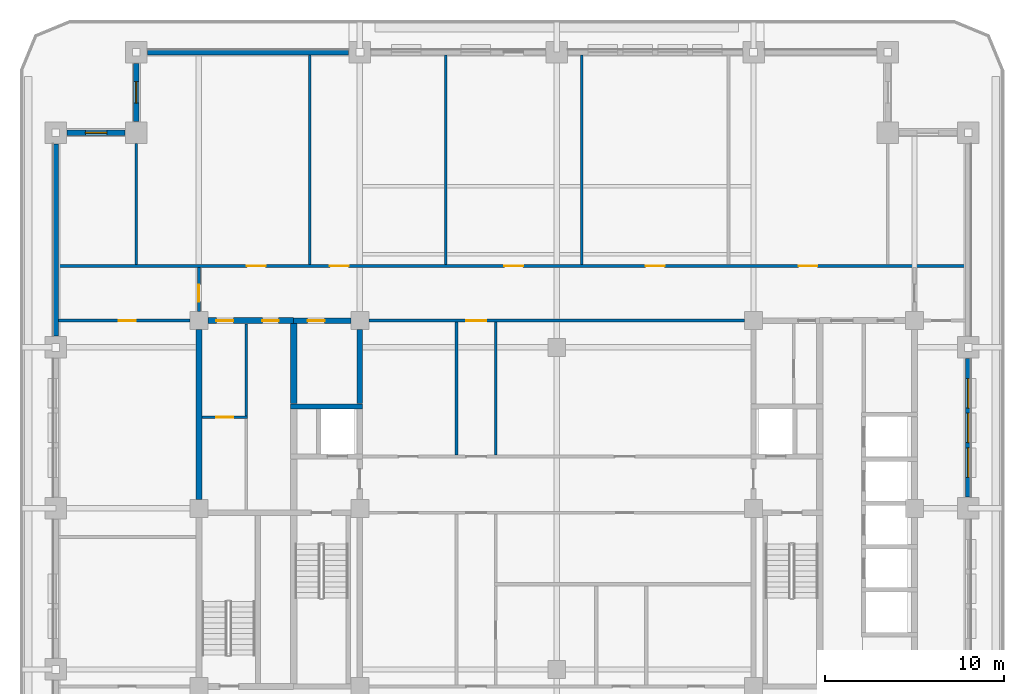
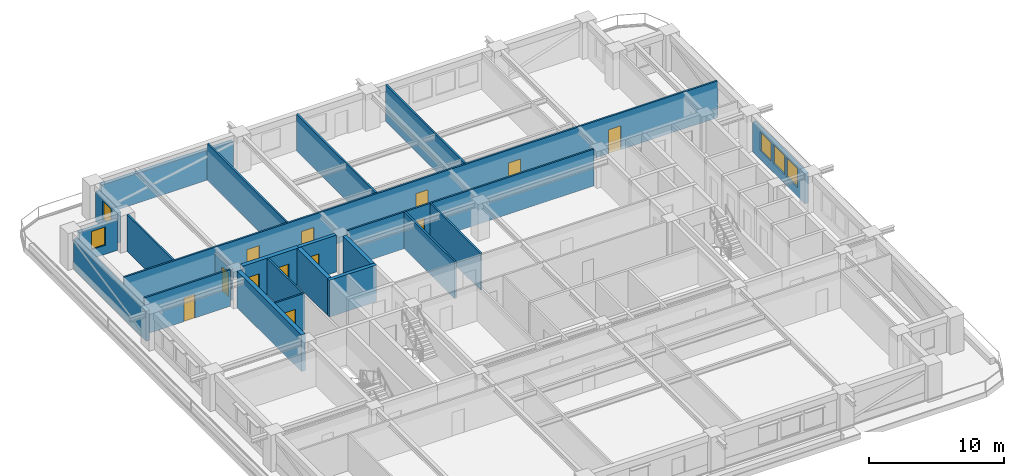
# One storey, part 5 of 15: 23 walls, 12 doors, 5 windows, 17 openings.
"""IFC4 building model written with IfcOpenShell, lengths in metres."""

from ifc_helpers import new_model, si_unit, direction, frame, frame_2d, origin, place, context, subcontext, project, spatial, rectangle, extrude, material, layer, layer_set, type_object, element, fill, save


model = new_model("IFC4")

# Units and contexts
model_context = context("Model", 3, precision=1e-05, world=origin(), true_north=direction((0.0, 1.0)))
body_context = subcontext(model_context, "Body", "Model", "MODEL_VIEW")
ifc_project = project(units=[si_unit("LENGTHUNIT", "METRE"), si_unit("AREAUNIT", "SQUARE_METRE"), si_unit("VOLUMEUNIT", "CUBIC_METRE"), si_unit("PLANEANGLEUNIT", "RADIAN"), si_unit("MASSUNIT", "GRAM", prefix="KILO")], contexts=[model_context])

# Site, building, storey
site_placement = place(None, origin())
site = spatial("IfcSite", under=ifc_project, at=site_placement, CompositionType="ELEMENT")
building_placement = place(site_placement, origin())
building = spatial("IfcBuilding", under=site, at=building_placement, Name="Zulmaris Gate Convention Tower", CompositionType="ELEMENT")
storey_placement = place(building_placement, frame((0.0, 0.0, 128.48974609375)))
storey = spatial("IfcBuildingStorey", under=building, at=storey_placement, Name="L32", CompositionType="ELEMENT", Elevation=128.48974609375)

# Wall
ifc_material_1 = material(Name="Concrete C50/60", Category="concrete")
ifc_layer_1 = layer(ifc_material_1, 0.300048828125, Name="Concrete C50/60")
ifc_layer_set_1 = layer_set([ifc_layer_1], Name="Concrete C50/60")
wall_type_1 = type_object("IfcWallType", Name="CORE-300", PredefinedType="SHEAR", material=ifc_layer_set_1)
wall_1_placement = place(storey_placement, frame((-14.875, 5.699951171875, 0.0), z_axis=(0.0, 0.0, 1.0), x_axis=(1.0, 0.0, 0.0)))
element("IfcWall", 1, at=wall_1_placement, inside=storey, type_object=wall_type_1, Name="WL-L32-015", PredefinedType="SHEAR", context=body_context, shape_type="SweptSolid", body=[
    extrude(rectangle(XDim=4.02490234375, YDim=0.300048828125, at=frame_2d((2.012451171875, 0.0))), origin(), (0.0, 0.0, 1.0), 3.320068359375),
])

# Wall, opening, door
wall_2_placement = place(storey_placement, frame((-14.699951171875, 10.5, 0.0), z_axis=(0.0, 0.0, 1.0), x_axis=(1.0, 0.0, 0.0)))
wall_2 = element("IfcWall", 2, at=wall_2_placement, inside=storey, type_object=wall_type_1, Name="WL-L32-018", PredefinedType="SHEAR", context=body_context, shape_type="SweptSolid", body=[
    extrude(rectangle(XDim=3.196044921875, YDim=0.300048828125, at=frame_2d((1.59814453125, 0.0))), origin(), (0.0, 0.0, 1.0), 3.320068359375),
])
opening_1_placement = place(wall_2_placement, frame((0.77490234375, 0.0, 0.0)))
opening_1 = element("IfcOpeningElement", 3, at=opening_1_placement, cuts=wall_2, Name="Opening D-11", PredefinedType="OPENING", context=body_context, shape_type="SweptSolid", body=[
    extrude(rectangle(XDim=0.949951171875, YDim=2.14990234375, at=frame_2d((0.47509765625, 1.074951171875))), frame((0.0, 0.16015625, 0.0), z_axis=(0.0, -1.0, 0.0), x_axis=(1.0, 0.0, 0.0)), (0.0, 0.0, 1.0), 0.320068359375),
])
ifc_material_2 = material(Name="Fire-Rated Timber", Category="wood")
door_type_1 = type_object("IfcDoorType", Name="DR-950-FD", OperationType="NOTDEFINED", PredefinedType="DOOR", material=ifc_material_2)
door_1_placement = place(opening_1_placement, origin())
door_1 = element("IfcDoor", 4, at=door_1_placement, inside=storey, type_object=door_type_1, Name="L32 Core Archive Door 07", OperationType="SINGLE_SWING_LEFT", OverallHeight=2.14990234375, OverallWidth=0.949951171875, PredefinedType="DOOR", context=body_context, shape_type="SweptSolid", body=[
    extrude(rectangle(XDim=0.949951171875, YDim=2.14990234375, at=frame_2d((0.47509765625, 1.074951171875))), frame((0.0, 0.02490234375, 0.0), z_axis=(0.0, -1.0, 0.0), x_axis=(1.0, 0.0, 0.0)), (0.0, 0.0, 1.0), 0.050048828125),
])
fill(opening_1, door_1)

# Wall
wall_3_placement = place(storey_placement, frame((-11.0, 5.85205078125, 0.0), z_axis=(0.0, 0.0, 1.0), x_axis=(0.0, 1.0, 0.0)))
element("IfcWall", 5, at=wall_3_placement, inside=storey, type_object=wall_type_1, Name="WL-L32-046", PredefinedType="SHEAR", context=body_context, shape_type="SweptSolid", body=[
    extrude(rectangle(XDim=4.14404296875, YDim=0.300048828125, at=frame_2d((2.072021484375, 0.0))), origin(), (0.0, 0.0, 1.0), 3.320068359375),
])

# Wall, openings, doors
ifc_material_3 = material(Name="Concrete C55/67", Category="concrete")
ifc_layer_2 = layer(ifc_material_3, 0.35009765625, Name="Concrete C55/67")
ifc_layer_set_2 = layer_set([ifc_layer_2], Name="Concrete C55/67")
wall_type_2 = type_object("IfcWallType", Name="CORE-350", PredefinedType="SHEAR", material=ifc_layer_set_2)
wall_4_placement = place(storey_placement, frame((-19.49609375, 10.5, 0.0), z_axis=(0.0, 0.0, 1.0), x_axis=(1.0, 0.0, 0.0)))
wall_4 = element("IfcWall", 6, at=wall_4_placement, inside=storey, type_object=wall_type_2, Name="WL-L32-017", PredefinedType="SHEAR", context=body_context, shape_type="SweptSolid", body=[
    extrude(rectangle(XDim=4.796142578125, YDim=0.35009765625, at=frame_2d((2.39794921875, 0.0))), origin(), (0.0, 0.0, 1.0), 3.320068359375),
])
opening_2_placement = place(wall_4_placement, frame((0.470947265625, 0.0, 0.0)))
opening_2 = element("IfcOpeningElement", 7, at=opening_2_placement, cuts=wall_4, Name="Opening D-11", PredefinedType="OPENING", context=body_context, shape_type="SweptSolid", body=[
    extrude(rectangle(XDim=0.949951171875, YDim=2.14990234375, at=frame_2d((0.47509765625, 1.074951171875))), frame((0.0, 0.18505859375, 0.0), z_axis=(0.0, -1.0, 0.0), x_axis=(1.0, 0.0, 0.0)), (0.0, 0.0, 1.0), 0.3701171875),
])
opening_3_placement = place(wall_4_placement, frame((3.0458984375, 0.0, 0.0)))
opening_3 = element("IfcOpeningElement", 8, at=opening_3_placement, cuts=wall_4, Name="Opening D-12", PredefinedType="OPENING", context=body_context, shape_type="SweptSolid", body=[
    extrude(rectangle(XDim=0.89990234375, YDim=2.14990234375, at=frame_2d((0.449951171875, 1.074951171875))), frame((0.0, 0.18505859375, 0.0), z_axis=(0.0, -1.0, 0.0), x_axis=(1.0, 0.0, 0.0)), (0.0, 0.0, 1.0), 0.3701171875),
])
door_type_2 = type_object("IfcDoorType", Name="DR-900-FD", OperationType="NOTDEFINED", PredefinedType="DOOR", material=ifc_material_2)
door_2_placement = place(opening_3_placement, origin())
door_2 = element("IfcDoor", 9, at=door_2_placement, inside=storey, type_object=door_type_2, Name="L32 Staff WC Door 13", OperationType="SINGLE_SWING_LEFT", OverallHeight=2.14990234375, OverallWidth=0.89990234375, PredefinedType="DOOR", context=body_context, shape_type="SweptSolid", body=[
    extrude(rectangle(XDim=0.89990234375, YDim=2.14990234375, at=frame_2d((0.449951171875, 1.074951171875))), frame((0.0, 0.02490234375, 0.0), z_axis=(0.0, -1.0, 0.0), x_axis=(1.0, 0.0, 0.0)), (0.0, 0.0, 1.0), 0.050048828125),
])
fill(opening_3, door_2)
door_3_placement = place(opening_2_placement, origin())
door_3 = element("IfcDoor", 10, at=door_3_placement, inside=storey, type_object=door_type_1, Name="L32 Linen Store Door 11", OperationType="SINGLE_SWING_LEFT", OverallHeight=2.14990234375, OverallWidth=0.949951171875, PredefinedType="DOOR", context=body_context, shape_type="SweptSolid", body=[
    extrude(rectangle(XDim=0.949951171875, YDim=2.14990234375, at=frame_2d((0.47509765625, 1.074951171875))), frame((0.0, 0.02490234375, 0.0), z_axis=(0.0, -1.0, 0.0), x_axis=(1.0, 0.0, 0.0)), (0.0, 0.0, 1.0), 0.050048828125),
])
fill(opening_2, door_3)

# Walls
wall_5_placement = place(storey_placement, frame((-20.0, 0.50390625, 0.0), z_axis=(0.0, 0.0, 1.0), x_axis=(0.0, 1.0, 0.0)))
element("IfcWall", 11, at=wall_5_placement, inside=storey, type_object=wall_type_2, Name="WL-L32-035", PredefinedType="SHEAR", context=body_context, shape_type="SweptSolid", body=[
    extrude(rectangle(XDim=9.4921875, YDim=0.35009765625, at=frame_2d((4.74609375, 0.0))), origin(), (0.0, 0.0, 1.0), 3.320068359375),
])
wall_6_placement = place(storey_placement, frame((-14.699951171875, 5.85205078125, 0.0), z_axis=(0.0, 0.0, 1.0), x_axis=(0.0, 1.0, 0.0)))
element("IfcWall", 12, at=wall_6_placement, inside=storey, type_object=wall_type_2, Name="WL-L32-040", PredefinedType="SHEAR", context=body_context, shape_type="SweptSolid", body=[
    extrude(rectangle(XDim=4.470947265625, YDim=0.35009765625, at=frame_2d((2.2353515625, 0.0))), origin(), (0.0, 0.0, 1.0), 3.320068359375),
])

# Wall, opening, door
ifc_material_4 = material(Name="Gypsum Metal Stud Partition")
ifc_layer_3 = layer(ifc_material_4, 0.14990234375, Name="Gypsum Metal Stud Partition")
ifc_layer_set_3 = layer_set([ifc_layer_3], Name="Gypsum Metal Stud Partition")
wall_type_3 = type_object("IfcWallType", Name="PART-150", PredefinedType="PARTITIONING", material=ifc_layer_set_3)
wall_7_placement = place(storey_placement, frame((-19.822021484375, 5.10009765625, 0.0), z_axis=(0.0, 0.0, 1.0), x_axis=(1.0, 0.0, 0.0)))
wall_7 = element("IfcWall", 13, at=wall_7_placement, inside=storey, type_object=wall_type_3, Name="WL-L32-029", PredefinedType="PARTITIONING", context=body_context, shape_type="SweptSolid", body=[
    extrude(rectangle(XDim=2.547119140625, YDim=0.14990234375, at=frame_2d((1.2734375, 0.0))), origin(), (0.0, 0.0, 1.0), 3.320068359375),
])
opening_4_placement = place(wall_7_placement, frame((0.797119140625, 0.0, 0.0)))
opening_4 = element("IfcOpeningElement", 14, at=opening_4_placement, cuts=wall_7, Name="Opening D-11", PredefinedType="OPENING", context=body_context, shape_type="SweptSolid", body=[
    extrude(rectangle(XDim=0.949951171875, YDim=2.14990234375, at=frame_2d((0.47509765625, 1.074951171875))), frame((0.0, 0.0849609375, 0.0), z_axis=(0.0, -1.0, 0.0), x_axis=(1.0, 0.0, 0.0)), (0.0, 0.0, 1.0), 0.169921875),
])
door_4_placement = place(opening_4_placement, origin())
door_4 = element("IfcDoor", 15, at=door_4_placement, inside=storey, type_object=door_type_1, Name="L32 Equipment Store Door 12", OperationType="SINGLE_SWING_RIGHT", OverallHeight=2.14990234375, OverallWidth=0.949951171875, PredefinedType="DOOR", context=body_context, shape_type="SweptSolid", body=[
    extrude(rectangle(XDim=0.949951171875, YDim=2.14990234375, at=frame_2d((0.47509765625, 1.074951171875))), frame((0.0, 0.02490234375, 0.0), z_axis=(0.0, -1.0, 0.0), x_axis=(1.0, 0.0, 0.0)), (0.0, 0.0, 1.0), 0.050048828125),
])
fill(opening_4, door_4)

wall_8_placement = place(storey_placement, frame((-27.8349609375, 10.5, 0.0), z_axis=(0.0, 0.0, 1.0), x_axis=(1.0, 0.0, 0.0)))
wall_8 = element("IfcWall", 16, at=wall_8_placement, inside=storey, type_object=wall_type_3, Name="WL-L32-030", PredefinedType="PARTITIONING", context=body_context, shape_type="SweptSolid", body=[
    extrude(rectangle(XDim=7.328857421875, YDim=0.14990234375, at=frame_2d((3.66455078125, 0.0))), origin(), (0.0, 0.0, 1.0), 3.320068359375),
])
opening_5_placement = place(wall_8_placement, frame((3.360107421875, 0.0, 0.0)))
opening_5 = element("IfcOpeningElement", 17, at=opening_5_placement, cuts=wall_8, Name="Opening D-11", PredefinedType="OPENING", context=body_context, shape_type="SweptSolid", body=[
    extrude(rectangle(XDim=0.949951171875, YDim=2.14990234375, at=frame_2d((0.47509765625, 1.074951171875))), frame((0.0, 0.0849609375, 0.0), z_axis=(0.0, -1.0, 0.0), x_axis=(1.0, 0.0, 0.0)), (0.0, 0.0, 1.0), 0.169921875),
])
door_5_placement = place(opening_5_placement, origin())
door_5 = element("IfcDoor", 18, at=door_5_placement, inside=storey, type_object=door_type_1, Name="L32 NW Partner Door 42", OperationType="SINGLE_SWING_RIGHT", OverallHeight=2.14990234375, OverallWidth=0.949951171875, PredefinedType="DOOR", context=body_context, shape_type="SweptSolid", body=[
    extrude(rectangle(XDim=0.949951171875, YDim=2.14990234375, at=frame_2d((0.47509765625, 1.074951171875))), frame((0.0, 0.02490234375, 0.0), z_axis=(0.0, -1.0, 0.0), x_axis=(1.0, 0.0, 0.0)), (0.0, 0.0, 1.0), 0.050048828125),
])
fill(opening_5, door_5)

wall_9_placement = place(storey_placement, frame((-10.493896484375, 10.5, 0.0), z_axis=(0.0, 0.0, 1.0), x_axis=(1.0, 0.0, 0.0)))
wall_9 = element("IfcWall", 19, at=wall_9_placement, inside=storey, type_object=wall_type_3, Name="WL-L32-031", PredefinedType="PARTITIONING", context=body_context, shape_type="SweptSolid", body=[
    extrude(rectangle(XDim=20.98779296875, YDim=0.14990234375, at=frame_2d((10.493896484375, 0.0))), origin(), (0.0, 0.0, 1.0), 3.320068359375),
])
opening_6_placement = place(wall_9_placement, frame((5.444091796875, 0.0, 0.0)))
opening_6 = element("IfcOpeningElement", 20, at=opening_6_placement, cuts=wall_9, Name="Opening D-08", PredefinedType="OPENING", context=body_context, shape_type="SweptSolid", body=[
    extrude(rectangle(XDim=1.10009765625, YDim=2.14990234375, at=frame_2d((0.550048828125, 1.074951171875))), frame((0.0, 0.0849609375, 0.0), z_axis=(0.0, -1.0, 0.0), x_axis=(1.0, 0.0, 0.0)), (0.0, 0.0, 1.0), 0.169921875),
])
ifc_material_5 = material(Name="Fire-Rated Steel", Category="steel")
door_type_3 = type_object("IfcDoorType", Name="DR-1100-FD", OperationType="NOTDEFINED", PredefinedType="DOOR", material=ifc_material_5)
door_6_placement = place(opening_6_placement, origin())
door_6 = element("IfcDoor", 21, at=door_6_placement, inside=storey, type_object=door_type_3, Name="L32 North Gallery Link Door 21", OperationType="SINGLE_SWING_LEFT", OverallHeight=2.14990234375, OverallWidth=1.10009765625, PredefinedType="DOOR", context=body_context, shape_type="SweptSolid", body=[
    extrude(rectangle(XDim=1.10009765625, YDim=2.14990234375, at=frame_2d((0.550048828125, 1.074951171875))), frame((0.0, 0.02490234375, 0.0), z_axis=(0.0, -1.0, 0.0), x_axis=(1.0, 0.0, 0.0)), (0.0, 0.0, 1.0), 0.050048828125),
])
fill(opening_6, door_6)

# Wall, openings, doors
wall_10_placement = place(storey_placement, frame((-27.8349609375, 13.550048828125, 0.0), z_axis=(0.0, 0.0, 1.0), x_axis=(1.0, 0.0, 0.0)))
wall_10 = element("IfcWall", 22, at=wall_10_placement, inside=storey, type_object=wall_type_3, Name="WL-L32-033", PredefinedType="PARTITIONING", context=body_context, shape_type="SweptSolid", body=[
    extrude(rectangle(XDim=50.669921875, YDim=0.14990234375, at=frame_2d((25.3349609375, 0.0))), origin(), (0.0, 0.0, 1.0), 3.320068359375),
])
opening_7_placement = place(wall_10_placement, frame((10.510009765625, 0.0, 0.0)))
opening_7 = element("IfcOpeningElement", 23, at=opening_7_placement, cuts=wall_10, Name="Opening D-09", PredefinedType="OPENING", context=body_context, shape_type="SweptSolid", body=[
    extrude(rectangle(XDim=1.050048828125, YDim=2.14990234375, at=frame_2d((0.52490234375, 1.074951171875))), frame((0.0, 0.0849609375, 0.0), z_axis=(0.0, -1.0, 0.0), x_axis=(1.0, 0.0, 0.0)), (0.0, 0.0, 1.0), 0.169921875),
])
opening_8_placement = place(wall_10_placement, frame((15.159912109375, 0.0, 0.0)))
opening_8 = element("IfcOpeningElement", 24, at=opening_8_placement, cuts=wall_10, Name="Opening D-09", PredefinedType="OPENING", context=body_context, shape_type="SweptSolid", body=[
    extrude(rectangle(XDim=1.050048828125, YDim=2.14990234375, at=frame_2d((0.52490234375, 1.074951171875))), frame((0.0, 0.0849609375, 0.0), z_axis=(0.0, -1.0, 0.0), x_axis=(1.0, 0.0, 0.0)), (0.0, 0.0, 1.0), 0.169921875),
])
opening_9_placement = place(wall_10_placement, frame((24.909912109375, 0.0, 0.0)))
opening_9 = element("IfcOpeningElement", 25, at=opening_9_placement, cuts=wall_10, Name="Opening D-09", PredefinedType="OPENING", context=body_context, shape_type="SweptSolid", body=[
    extrude(rectangle(XDim=1.050048828125, YDim=2.14990234375, at=frame_2d((0.52490234375, 1.074951171875))), frame((0.0, 0.0849609375, 0.0), z_axis=(0.0, -1.0, 0.0), x_axis=(1.0, 0.0, 0.0)), (0.0, 0.0, 1.0), 0.169921875),
])
opening_10_placement = place(wall_10_placement, frame((32.81005859375, 0.0, 0.0)))
opening_10 = element("IfcOpeningElement", 26, at=opening_10_placement, cuts=wall_10, Name="Opening D-09", PredefinedType="OPENING", context=body_context, shape_type="SweptSolid", body=[
    extrude(rectangle(XDim=1.050048828125, YDim=2.14990234375, at=frame_2d((0.52490234375, 1.074951171875))), frame((0.0, 0.0849609375, 0.0), z_axis=(0.0, -1.0, 0.0), x_axis=(1.0, 0.0, 0.0)), (0.0, 0.0, 1.0), 0.169921875),
])
opening_11_placement = place(wall_10_placement, frame((41.360107421875, 0.0, 0.0)))
opening_11 = element("IfcOpeningElement", 27, at=opening_11_placement, cuts=wall_10, Name="Opening D-09", PredefinedType="OPENING", context=body_context, shape_type="SweptSolid", body=[
    extrude(rectangle(XDim=1.050048828125, YDim=2.14990234375, at=frame_2d((0.52490234375, 1.074951171875))), frame((0.0, 0.0849609375, 0.0), z_axis=(0.0, -1.0, 0.0), x_axis=(1.0, 0.0, 0.0)), (0.0, 0.0, 1.0), 0.169921875),
])
door_type_4 = type_object("IfcDoorType", Name="DR-1050-FD", OperationType="NOTDEFINED", PredefinedType="DOOR", material=ifc_material_5)
door_7_placement = place(opening_7_placement, origin())
door_7 = element("IfcDoor", 28, at=door_7_placement, inside=storey, type_object=door_type_4, Name="L32 Partner Corner Office Door 25", OperationType="SINGLE_SWING_LEFT", OverallHeight=2.14990234375, OverallWidth=1.050048828125, PredefinedType="DOOR", context=body_context, shape_type="SweptSolid", body=[
    extrude(rectangle(XDim=1.050048828125, YDim=2.14990234375, at=frame_2d((0.52490234375, 1.074951171875))), frame((0.0, 0.02490234375, 0.0), z_axis=(0.0, -1.0, 0.0), x_axis=(1.0, 0.0, 0.0)), (0.0, 0.0, 1.0), 0.050048828125),
])
fill(opening_7, door_7)
door_8_placement = place(opening_8_placement, origin())
door_8 = element("IfcDoor", 29, at=door_8_placement, inside=storey, type_object=door_type_4, Name="L32 Advisory Suite Office Door 26", OperationType="SINGLE_SWING_RIGHT", OverallHeight=2.14990234375, OverallWidth=1.050048828125, PredefinedType="DOOR", context=body_context, shape_type="SweptSolid", body=[
    extrude(rectangle(XDim=1.050048828125, YDim=2.14990234375, at=frame_2d((0.52490234375, 1.074951171875))), frame((0.0, 0.02490234375, 0.0), z_axis=(0.0, -1.0, 0.0), x_axis=(1.0, 0.0, 0.0)), (0.0, 0.0, 1.0), 0.050048828125),
])
fill(opening_8, door_8)
door_9_placement = place(opening_9_placement, origin())
door_9 = element("IfcDoor", 30, at=door_9_placement, inside=storey, type_object=door_type_4, Name="L32 Open Plan Workplace Door 27", OperationType="SINGLE_SWING_LEFT", OverallHeight=2.14990234375, OverallWidth=1.050048828125, PredefinedType="DOOR", context=body_context, shape_type="SweptSolid", body=[
    extrude(rectangle(XDim=1.050048828125, YDim=2.14990234375, at=frame_2d((0.52490234375, 1.074951171875))), frame((0.0, 0.02490234375, 0.0), z_axis=(0.0, -1.0, 0.0), x_axis=(1.0, 0.0, 0.0)), (0.0, 0.0, 1.0), 0.050048828125),
])
fill(opening_9, door_9)
door_10_placement = place(opening_10_placement, origin())
door_10 = element("IfcDoor", 31, at=door_10_placement, inside=storey, type_object=door_type_4, Name="L32 Executive Office Door 28", OperationType="SINGLE_SWING_RIGHT", OverallHeight=2.14990234375, OverallWidth=1.050048828125, PredefinedType="DOOR", context=body_context, shape_type="SweptSolid", body=[
    extrude(rectangle(XDim=1.050048828125, YDim=2.14990234375, at=frame_2d((0.52490234375, 1.074951171875))), frame((0.0, 0.02490234375, 0.0), z_axis=(0.0, -1.0, 0.0), x_axis=(1.0, 0.0, 0.0)), (0.0, 0.0, 1.0), 0.050048828125),
])
fill(opening_10, door_10)
door_11_placement = place(opening_11_placement, origin())
door_11 = element("IfcDoor", 32, at=door_11_placement, inside=storey, type_object=door_type_4, Name="L32 Partner Corner Office Door 29", OperationType="SINGLE_SWING_LEFT", OverallHeight=2.14990234375, OverallWidth=1.050048828125, PredefinedType="DOOR", context=body_context, shape_type="SweptSolid", body=[
    extrude(rectangle(XDim=1.050048828125, YDim=2.14990234375, at=frame_2d((0.52490234375, 1.074951171875))), frame((0.0, 0.02490234375, 0.0), z_axis=(0.0, -1.0, 0.0), x_axis=(1.0, 0.0, 0.0)), (0.0, 0.0, 1.0), 0.050048828125),
])
fill(opening_11, door_11)

# Wall
wall_11_placement = place(storey_placement, frame((-23.5, 13.6279296875, 0.0), z_axis=(0.0, 0.0, 1.0), x_axis=(0.0, 1.0, 0.0)))
element("IfcWall", 33, at=wall_11_placement, inside=storey, type_object=wall_type_3, Name="WL-L32-070", PredefinedType="PARTITIONING", context=body_context, shape_type="SweptSolid", body=[
    extrude(rectangle(XDim=6.76611328125, YDim=0.14990234375, at=frame_2d((3.383056640625, 0.0))), origin(), (0.0, 0.0, 1.0), 3.320068359375),
])

# Wall, opening, door
wall_12_placement = place(storey_placement, frame((-20.0, 11.006103515625, 0.0), z_axis=(0.0, 0.0, 1.0), x_axis=(0.0, 1.0, 0.0)))
wall_12 = element("IfcWall", 34, at=wall_12_placement, inside=storey, type_object=wall_type_3, Name="WL-L32-072", PredefinedType="PARTITIONING", context=body_context, shape_type="SweptSolid", body=[
    extrude(rectangle(XDim=2.4658203125, YDim=0.14990234375, at=frame_2d((1.23291015625, 0.0))), origin(), (0.0, 0.0, 1.0), 2.81005859375),
])
opening_12_placement = place(wall_12_placement, frame((0.549072265625, 0.0, 0.0)))
opening_12 = element("IfcOpeningElement", 35, at=opening_12_placement, cuts=wall_12, Name="Opening D-11", PredefinedType="OPENING", context=body_context, shape_type="SweptSolid", body=[
    extrude(rectangle(XDim=0.949951171875, YDim=2.14990234375, at=frame_2d((0.47509765625, 1.074951171875))), frame((0.0, 0.0849609375, 0.0), z_axis=(0.0, -1.0, 0.0), x_axis=(1.0, 0.0, 0.0)), (0.0, 0.0, 1.0), 0.169921875),
])
door_12_placement = place(opening_12_placement, origin())
door_12 = element("IfcDoor", 36, at=door_12_placement, inside=storey, type_object=door_type_1, Name="L32 NW Spur Door 40", OperationType="SINGLE_SWING_RIGHT", OverallHeight=2.14990234375, OverallWidth=0.949951171875, PredefinedType="DOOR", context=body_context, shape_type="SweptSolid", body=[
    extrude(rectangle(XDim=0.949951171875, YDim=2.14990234375, at=frame_2d((0.47509765625, 1.074951171875))), frame((0.0, 0.02490234375, 0.0), z_axis=(0.0, -1.0, 0.0), x_axis=(1.0, 0.0, 0.0)), (0.0, 0.0, 1.0), 0.050048828125),
])
fill(opening_12, door_12)

# Walls
wall_13_placement = place(storey_placement, frame((-17.35009765625, 5.177978515625, 0.0), z_axis=(0.0, 0.0, 1.0), x_axis=(0.0, 1.0, 0.0)))
element("IfcWall", 37, at=wall_13_placement, inside=storey, type_object=wall_type_3, Name="WL-L32-074", PredefinedType="PARTITIONING", context=body_context, shape_type="SweptSolid", body=[
    extrude(rectangle(XDim=5.14404296875, YDim=0.14990234375, at=frame_2d((2.572021484375, 0.0))), origin(), (0.0, 0.0, 1.0), 3.320068359375),
])
for number, where, z_axis, x_axis, name in (
    (38, (-13.800048828125, 13.6279296875, 0.0), (0.0, 0.0, 1.0), (0.0, 1.0, 0.0), "WL-L32-075"),
    (39, (-6.199951171875, 13.6279296875, 0.0), (0.0, 0.0, 1.0), (0.0, 1.0, 0.0), "WL-L32-077"),
):
    element("IfcWall", number, at=place(storey_placement, frame(where, z_axis=z_axis, x_axis=x_axis)), inside=storey, type_object=wall_type_3, Name=name, PredefinedType="PARTITIONING", context=body_context, shape_type="SweptSolid", body=[
        extrude(rectangle(XDim=11.70703125, YDim=0.14990234375, at=frame_2d((5.853515625, 0.0))), origin(), (0.0, 0.0, 1.0), 3.320068359375),
    ])
for number, where, z_axis, x_axis, name in (
    (40, (-5.60009765625, 2.97802734375, 0.0), (0.0, 0.0, 1.0), (0.0, 1.0, 0.0), "WL-L32-079"),
    (41, (-3.39990234375, 2.97802734375, 0.0), (0.0, 0.0, 1.0), (0.0, 1.0, 0.0), "WL-L32-082"),
):
    element("IfcWall", number, at=place(storey_placement, frame(where, z_axis=z_axis, x_axis=x_axis)), inside=storey, type_object=wall_type_3, Name=name, PredefinedType="PARTITIONING", context=body_context, shape_type="SweptSolid", body=[
        extrude(rectangle(XDim=7.444091796875, YDim=0.14990234375, at=frame_2d((3.72216796875, 0.0))), origin(), (0.0, 0.0, 1.0), 3.320068359375),
    ])
wall_14_placement = place(storey_placement, frame((1.39990234375, 13.6279296875, 0.0), z_axis=(0.0, 0.0, 1.0), x_axis=(0.0, 1.0, 0.0)))
element("IfcWall", 42, at=wall_14_placement, inside=storey, type_object=wall_type_3, Name="WL-L32-083", PredefinedType="PARTITIONING", context=body_context, shape_type="SweptSolid", body=[
    extrude(rectangle(XDim=11.70703125, YDim=0.14990234375, at=frame_2d((5.853515625, 0.0))), origin(), (0.0, 0.0, 1.0), 3.320068359375),
])

# Wall, opening, window
ifc_material_6 = material(Name="Precast concrete C40/50", Category="concrete")
ifc_layer_4 = layer(ifc_material_6, 0.300048828125, Name="Precast concrete C40/50")
ifc_layer_set_4 = layer_set([ifc_layer_4], Name="Precast concrete C40/50")
wall_type_4 = type_object("IfcWallType", Name="PRECAST-PIER-300", PredefinedType="STANDARD", material=ifc_layer_set_4)
wall_15_placement = place(storey_placement, frame((-23.5, 24.8701171875, 0.0), z_axis=(0.0, 0.0, 1.0), x_axis=(0.0, -1.0, 0.0)))
wall_15 = element("IfcWall", 43, at=wall_15_placement, inside=storey, type_object=wall_type_4, Name="EW-L32-NOTCH-NW1_0", PredefinedType="STANDARD", context=body_context, shape_type="SweptSolid", body=[
    extrude(rectangle(XDim=3.240234375, YDim=0.300048828125, at=frame_2d((1.6201171875, 0.0))), origin(), (0.0, 0.0, 1.0), 2.712158203125),
])
opening_13_placement = place(wall_15_placement, frame((1.02001953125, 0.0, 0.820068359375)))
opening_13 = element("IfcOpeningElement", 44, at=opening_13_placement, cuts=wall_15, Name="Opening W-04", PredefinedType="OPENING", context=body_context, shape_type="SweptSolid", body=[
    extrude(rectangle(XDim=1.199951171875, YDim=1.64990234375, at=frame_2d((0.60009765625, 0.824951171875))), frame((0.0, 0.16015625, 0.0), z_axis=(0.0, -1.0, 0.0), x_axis=(1.0, 0.0, 0.0)), (0.0, 0.0, 1.0), 0.320068359375),
])
ifc_material_7 = material(Name="Low-E Laminated Double Glazing in Aluminium Frame", Category="aluminium")
window_type_1 = type_object("IfcWindowType", Name="WIN-1200x2100", PartitioningType="SINGLE_PANEL", PredefinedType="WINDOW", material=ifc_material_7)
window_1_placement = place(opening_13_placement, origin())
window_1 = element("IfcWindow", 45, at=window_1_placement, inside=storey, type_object=window_type_1, Name="WN-EW-L32-NOTCH-NW1_0", OverallHeight=1.64990234375, OverallWidth=1.199951171875, PartitioningType="SINGLE_PANEL", PredefinedType="WINDOW", context=body_context, shape_type="SweptSolid", body=[
    extrude(rectangle(XDim=1.199951171875, YDim=1.64990234375, at=frame_2d((0.60009765625, 0.824951171875))), frame((0.0, 0.030029296875, 0.0), z_axis=(0.0, -1.0, 0.0), x_axis=(1.0, 0.0, 0.0)), (0.0, 0.0, 1.0), 0.06005859375),
])
fill(opening_13, window_1)

wall_16_placement = place(storey_placement, frame((-24.1298828125, 21.0, 0.0), z_axis=(0.0, 0.0, 1.0), x_axis=(-1.0, 0.0, 0.0)))
wall_16 = element("IfcWall", 46, at=wall_16_placement, inside=storey, type_object=wall_type_4, Name="EW-L32-NOTCH-NW2_0", PredefinedType="STANDARD", context=body_context, shape_type="SweptSolid", body=[
    extrude(rectangle(XDim=3.240234375, YDim=0.300048828125, at=frame_2d((1.6201171875, 0.0))), origin(), (0.0, 0.0, 1.0), 2.712158203125),
])
opening_14_placement = place(wall_16_placement, frame((1.02001953125, 0.0, 0.820068359375)))
opening_14 = element("IfcOpeningElement", 47, at=opening_14_placement, cuts=wall_16, Name="Opening W-04", PredefinedType="OPENING", context=body_context, shape_type="SweptSolid", body=[
    extrude(rectangle(XDim=1.199951171875, YDim=1.64990234375, at=frame_2d((0.60009765625, 0.824951171875))), frame((0.0, 0.16015625, 0.0), z_axis=(0.0, -1.0, 0.0), x_axis=(1.0, 0.0, 0.0)), (0.0, 0.0, 1.0), 0.320068359375),
])
window_2_placement = place(opening_14_placement, origin())
window_2 = element("IfcWindow", 48, at=window_2_placement, inside=storey, type_object=window_type_1, Name="WN-EW-L32-NOTCH-NW2_0", OverallHeight=1.64990234375, OverallWidth=1.199951171875, PartitioningType="SINGLE_PANEL", PredefinedType="WINDOW", context=body_context, shape_type="SweptSolid", body=[
    extrude(rectangle(XDim=1.199951171875, YDim=1.64990234375, at=frame_2d((0.60009765625, 0.824951171875))), frame((0.0, 0.030029296875, 0.0), z_axis=(0.0, -1.0, 0.0), x_axis=(1.0, 0.0, 0.0)), (0.0, 0.0, 1.0), 0.06005859375),
])
fill(opening_14, window_2)

# Wall
wall_17_placement = place(storey_placement, frame((-11.6298828125, 25.5, 0.0), z_axis=(0.0, 0.0, 1.0), x_axis=(-1.0, 0.0, 0.0)))
element("IfcWall", 49, at=wall_17_placement, inside=storey, type_object=wall_type_4, Name="EW-L32-N-0_0", PredefinedType="STANDARD", context=body_context, shape_type="SweptSolid", body=[
    extrude(rectangle(XDim=11.240234375, YDim=0.300048828125, at=frame_2d((5.6201171875, 0.0))), origin(), (0.0, 0.0, 1.0), 2.712158203125),
])

# Wall, openings, windows
wall_18_placement = place(storey_placement, frame((23.0, 0.6298828125, 0.0), z_axis=(0.0, 0.0, 1.0), x_axis=(0.0, 1.0, 0.0)))
wall_18 = element("IfcWall", 50, at=wall_18_placement, inside=storey, type_object=wall_type_4, Name="EW-L32-E-2_0", PredefinedType="STANDARD", context=body_context, shape_type="SweptSolid", body=[
    extrude(rectangle(XDim=7.740234375, YDim=0.300048828125, at=frame_2d((3.8701171875, 0.0))), origin(), (0.0, 0.0, 1.0), 2.712158203125),
])
opening_15_placement = place(wall_18_placement, frame((1.110107421875, 0.0, 0.800048828125)))
opening_15 = element("IfcOpeningElement", 51, at=opening_15_placement, cuts=wall_18, Name="Opening W-08", PredefinedType="OPENING", context=body_context, shape_type="SweptSolid", body=[
    extrude(rectangle(XDim=1.64990234375, YDim=1.699951171875, at=frame_2d((0.824951171875, 0.85009765625))), frame((0.0, 0.16015625, 0.0), z_axis=(0.0, -1.0, 0.0), x_axis=(1.0, 0.0, 0.0)), (0.0, 0.0, 1.0), 0.320068359375),
])
opening_16_placement = place(wall_18_placement, frame((3.044921875, 0.0, 0.800048828125)))
opening_16 = element("IfcOpeningElement", 52, at=opening_16_placement, cuts=wall_18, Name="Opening W-08", PredefinedType="OPENING", context=body_context, shape_type="SweptSolid", body=[
    extrude(rectangle(XDim=1.64990234375, YDim=1.699951171875, at=frame_2d((0.824951171875, 0.85009765625))), frame((0.0, 0.16015625, 0.0), z_axis=(0.0, -1.0, 0.0), x_axis=(1.0, 0.0, 0.0)), (0.0, 0.0, 1.0), 0.320068359375),
])
opening_17_placement = place(wall_18_placement, frame((4.97998046875, 0.0, 0.800048828125)))
opening_17 = element("IfcOpeningElement", 53, at=opening_17_placement, cuts=wall_18, Name="Opening W-08", PredefinedType="OPENING", context=body_context, shape_type="SweptSolid", body=[
    extrude(rectangle(XDim=1.64990234375, YDim=1.699951171875, at=frame_2d((0.824951171875, 0.85009765625))), frame((0.0, 0.16015625, 0.0), z_axis=(0.0, -1.0, 0.0), x_axis=(1.0, 0.0, 0.0)), (0.0, 0.0, 1.0), 0.320068359375),
])
window_type_2 = type_object("IfcWindowType", Name="WIN-1650x2150", PartitioningType="SINGLE_PANEL", PredefinedType="WINDOW", material=ifc_material_7)
window_3_placement = place(opening_15_placement, origin())
window_3 = element("IfcWindow", 54, at=window_3_placement, inside=storey, type_object=window_type_2, Name="WN-EW-L32-E-2_0-1", OverallHeight=1.699951171875, OverallWidth=1.64990234375, PartitioningType="SINGLE_PANEL", PredefinedType="WINDOW", context=body_context, shape_type="SweptSolid", body=[
    extrude(rectangle(XDim=1.64990234375, YDim=1.699951171875, at=frame_2d((0.824951171875, 0.85009765625))), frame((0.0, 0.030029296875, 0.0), z_axis=(0.0, -1.0, 0.0), x_axis=(1.0, 0.0, 0.0)), (0.0, 0.0, 1.0), 0.06005859375),
])
fill(opening_15, window_3)
window_4_placement = place(opening_16_placement, origin())
window_4 = element("IfcWindow", 55, at=window_4_placement, inside=storey, type_object=window_type_2, Name="WN-EW-L32-E-2_0-2", OverallHeight=1.699951171875, OverallWidth=1.64990234375, PartitioningType="SINGLE_PANEL", PredefinedType="WINDOW", context=body_context, shape_type="SweptSolid", body=[
    extrude(rectangle(XDim=1.64990234375, YDim=1.699951171875, at=frame_2d((0.824951171875, 0.85009765625))), frame((0.0, 0.030029296875, 0.0), z_axis=(0.0, -1.0, 0.0), x_axis=(1.0, 0.0, 0.0)), (0.0, 0.0, 1.0), 0.06005859375),
])
fill(opening_16, window_4)
window_5_placement = place(opening_17_placement, origin())
window_5 = element("IfcWindow", 56, at=window_5_placement, inside=storey, type_object=window_type_2, Name="WN-EW-L32-E-2_0-3", OverallHeight=1.699951171875, OverallWidth=1.64990234375, PartitioningType="SINGLE_PANEL", PredefinedType="WINDOW", context=body_context, shape_type="SweptSolid", body=[
    extrude(rectangle(XDim=1.64990234375, YDim=1.699951171875, at=frame_2d((0.824951171875, 0.85009765625))), frame((0.0, 0.030029296875, 0.0), z_axis=(0.0, -1.0, 0.0), x_axis=(1.0, 0.0, 0.0)), (0.0, 0.0, 1.0), 0.06005859375),
])
fill(opening_17, window_5)

# Wall
wall_19_placement = place(storey_placement, frame((-28.0, 20.3701171875, 0.0), z_axis=(0.0, 0.0, 1.0), x_axis=(0.0, -1.0, 0.0)))
element("IfcWall", 57, at=wall_19_placement, inside=storey, type_object=wall_type_4, Name="EW-L32-W-3_0", PredefinedType="STANDARD", context=body_context, shape_type="SweptSolid", body=[
    extrude(rectangle(XDim=10.740234375, YDim=0.300048828125, at=frame_2d((5.3701171875, 0.0))), origin(), (0.0, 0.0, 1.0), 2.712158203125),
])

save(model, "model.ifc")
